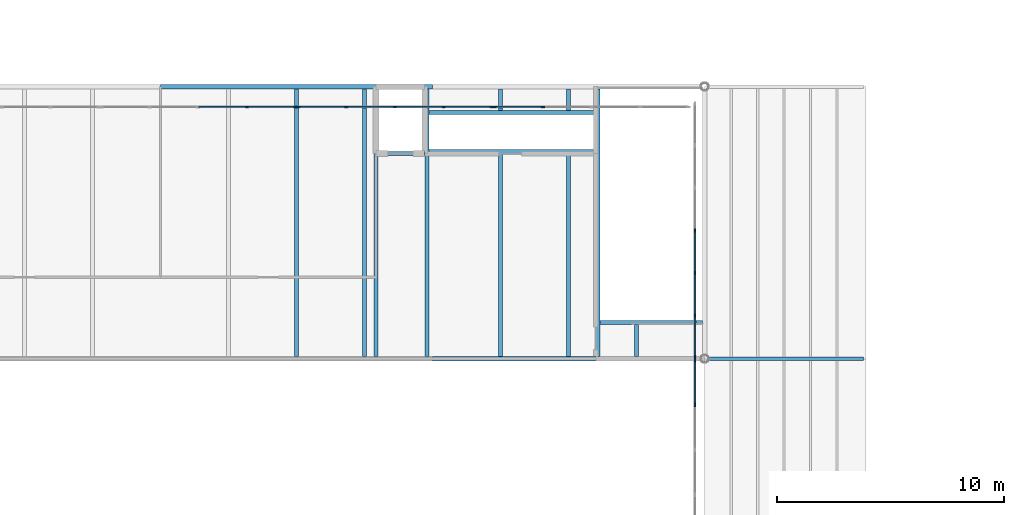
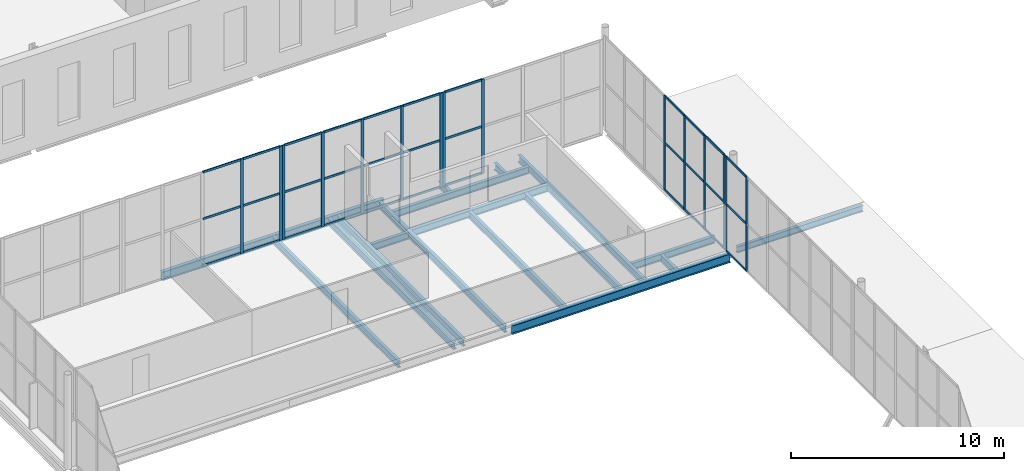
# One storey, part 82 of 170: 48 members, 17 beams, 5 elements without a shape of their own.
"""IFC4 building model written with IfcOpenShell, lengths in metres."""

from ifc_helpers import new_model, si_unit, direction, frame, origin, origin_2d, place, context, subcontext, project, spatial, rectangle, i_section, extrude, material, layer, layer_set, material_profile, profile_set, type_object, element, aggregate, save


model = new_model("IFC4")

# Units and contexts
model_context = context("Model", 3, precision=1e-05, world=origin(), true_north=direction((0.0, 1.0)))
body_context = subcontext(model_context, "Body", "Model", "MODEL_VIEW")
ifc_project = project(units=[si_unit("LENGTHUNIT", "METRE"), si_unit("AREAUNIT", "SQUARE_METRE"), si_unit("VOLUMEUNIT", "CUBIC_METRE"), si_unit("PLANEANGLEUNIT", "RADIAN"), si_unit("MASSUNIT", "GRAM", prefix="KILO")], contexts=[model_context])

# Site, building, storey
site_placement = place(None, origin())
site = spatial("IfcSite", under=ifc_project, at=site_placement, CompositionType="ELEMENT")
building_placement = place(site_placement, origin())
building = spatial("IfcBuilding", under=site, at=building_placement, Name="Ravi Spectrum Wholesale Market", CompositionType="ELEMENT")
storey_placement = place(building_placement, frame((0.0, 0.0, 5.39990234375)))
storey = spatial("IfcBuildingStorey", under=building, at=storey_placement, Name="L01", CompositionType="ELEMENT", Elevation=5.39990234375)

# Beams
ifc_material_1 = material(Name="Steel S355", Category="steel")
ifc_material_profile_1 = material_profile(ifc_material_1, i_section(OverallWidth=0.169921875, OverallDepth=0.360107421875, WebThickness=0.008056640625, FlangeThickness=0.0126953125, at=origin_2d()))
ifc_profile_set_1 = profile_set([ifc_material_profile_1], Name="Steel S355")
beam_type_1 = type_object("IfcBeamType", Name="IPE 360 beam", PredefinedType="BEAM", material=ifc_profile_set_1)
beam_1_placement = place(storey_placement, frame((198.177734375, 174.0, -0.179931640625), z_axis=(1.0, 0.0, 0.0), x_axis=(0.0, 1.0, 0.0)))
element("IfcBeam", 1, at=beam_1_placement, inside=storey, type_object=beam_type_1, Name="H3-BM-L01-033", PredefinedType="BEAM", context=body_context, shape_type="SweptSolid", body=[
    extrude(i_section(OverallWidth=0.169921875, OverallDepth=0.360107421875, WebThickness=0.008056640625, FlangeThickness=0.0126953125, at=origin_2d()), origin(), (0.0, 0.0, 1.0), 6.822265625),
])
ifc_material_2 = material(Name="Steel S355", Category="steel")
ifc_material_profile_2 = material_profile(ifc_material_2, i_section(OverallWidth=0.179931640625, OverallDepth=0.39990234375, WebThickness=0.008544921875, FlangeThickness=0.013427734375, at=origin_2d()))
ifc_profile_set_2 = profile_set([ifc_material_profile_2], Name="Steel S355")
beam_type_2 = type_object("IfcBeamType", Name="IPE 400 beam", PredefinedType="BEAM", material=ifc_profile_set_2)
for number, where, z_axis, x_axis, name in (
    (2, (180.0, 174.10009765625, -0.449951171875), (0.0, 1.0, 0.0), (-1.0, 0.0, 0.0), "H3-BM-L01-013"),
    (3, (183.0, 174.10009765625, -0.449951171875), (0.0, 1.0, 0.0), (-1.0, 0.0, 0.0), "H3-BM-L01-014"),
    (4, (183.5, 174.10009765625, -0.449951171875), (0.0, 1.0, 0.0), (-1.0, 0.0, 0.0), "H3-BM-L01-015"),
    (5, (185.75, 174.10009765625, -0.449951171875), (0.0, 1.0, 0.0), (-1.0, 0.0, 0.0), "H3-BM-L01-016"),
):
    element("IfcBeam", number, at=place(storey_placement, frame(where, z_axis=z_axis, x_axis=x_axis)), inside=storey, type_object=beam_type_2, Name=name, PredefinedType="BEAM", context=body_context, shape_type="SweptSolid", body=[
        extrude(i_section(OverallWidth=0.179931640625, OverallDepth=0.39990234375, WebThickness=0.008544921875, FlangeThickness=0.013427734375, at=origin_2d()), origin(), (0.0, 0.0, 1.0), 11.7998046875),
    ])
beam_2_placement = place(storey_placement, frame((189.0, 174.10009765625, -0.449951171875), z_axis=(0.0, 1.0, 0.0), x_axis=(-1.0, 0.0, 0.0)))
element("IfcBeam", 6, at=beam_2_placement, inside=storey, type_object=beam_type_2, Name="H3-BM-L01-017", PredefinedType="BEAM", context=body_context, shape_type="SweptSolid", body=[
    extrude(i_section(OverallWidth=0.179931640625, OverallDepth=0.39990234375, WebThickness=0.008544921875, FlangeThickness=0.013427734375, at=origin_2d()), origin(), (0.0, 0.0, 1.0), 8.9599609375),
])
beam_3_placement = place(storey_placement, frame((189.0, 184.9599609375, -0.449951171875), z_axis=(0.0, 1.0, 0.0), x_axis=(-1.0, 0.0, 0.0)))
element("IfcBeam", 7, at=beam_3_placement, inside=storey, type_object=beam_type_2, Name="H3-BM-L01-018", PredefinedType="BEAM", context=body_context, shape_type="SweptSolid", body=[
    extrude(i_section(OverallWidth=0.179931640625, OverallDepth=0.39990234375, WebThickness=0.008544921875, FlangeThickness=0.013427734375, at=origin_2d()), origin(), (0.0, 0.0, 1.0), 0.93994140625),
])
beam_4_placement = place(storey_placement, frame((192.0, 174.10009765625, -0.449951171875), z_axis=(0.0, 1.0, 0.0), x_axis=(-1.0, 0.0, 0.0)))
element("IfcBeam", 8, at=beam_4_placement, inside=storey, type_object=beam_type_2, Name="H3-BM-L01-019", PredefinedType="BEAM", context=body_context, shape_type="SweptSolid", body=[
    extrude(i_section(OverallWidth=0.179931640625, OverallDepth=0.39990234375, WebThickness=0.008544921875, FlangeThickness=0.013427734375, at=origin_2d()), origin(), (0.0, 0.0, 1.0), 8.9599609375),
])
beam_5_placement = place(storey_placement, frame((192.0, 184.9599609375, -0.449951171875), z_axis=(0.0, 1.0, 0.0), x_axis=(-1.0, 0.0, 0.0)))
element("IfcBeam", 9, at=beam_5_placement, inside=storey, type_object=beam_type_2, Name="H3-BM-L01-020", PredefinedType="BEAM", context=body_context, shape_type="SweptSolid", body=[
    extrude(i_section(OverallWidth=0.179931640625, OverallDepth=0.39990234375, WebThickness=0.008544921875, FlangeThickness=0.013427734375, at=origin_2d()), origin(), (0.0, 0.0, 1.0), 0.93994140625),
])
beam_6_placement = place(storey_placement, frame((193.300048828125, 174.10009765625, -0.449951171875), z_axis=(0.0, 1.0, 0.0), x_axis=(-1.0, 0.0, 0.0)))
element("IfcBeam", 10, at=beam_6_placement, inside=storey, type_object=beam_type_2, Name="H3-BM-L01-021", PredefinedType="BEAM", context=body_context, shape_type="SweptSolid", body=[
    extrude(i_section(OverallWidth=0.179931640625, OverallDepth=0.39990234375, WebThickness=0.008544921875, FlangeThickness=0.013427734375, at=origin_2d()), origin(), (0.0, 0.0, 1.0), 11.7998046875),
])
beam_7_placement = place(storey_placement, frame((195.0, 174.10009765625, -0.449951171875), z_axis=(0.0, 1.0, 0.0), x_axis=(-1.0, 0.0, 0.0)))
element("IfcBeam", 11, at=beam_7_placement, inside=storey, type_object=beam_type_2, Name="H3-BM-L01-022", PredefinedType="BEAM", context=body_context, shape_type="SweptSolid", body=[
    extrude(i_section(OverallWidth=0.179931640625, OverallDepth=0.39990234375, WebThickness=0.008544921875, FlangeThickness=0.013427734375, at=origin_2d()), origin(), (0.0, 0.0, 1.0), 1.409912109375),
])
beam_8_placement = place(storey_placement, frame((183.590087890625, 183.050048828125, -0.449951171875), z_axis=(1.0, 0.0, 0.0), x_axis=(0.0, 1.0, 0.0)))
element("IfcBeam", 12, at=beam_8_placement, inside=storey, type_object=beam_type_2, Name="H3-BM-L01-023", PredefinedType="BEAM", context=body_context, shape_type="SweptSolid", body=[
    extrude(i_section(OverallWidth=0.179931640625, OverallDepth=0.39990234375, WebThickness=0.008544921875, FlangeThickness=0.013427734375, at=origin_2d()), origin(), (0.0, 0.0, 1.0), 2.06982421875),
])
for number, where, z_axis, x_axis, name in (
    (13, (185.840087890625, 183.14990234375, -0.449951171875), (1.0, 0.0, 0.0), (0.0, 1.0, 0.0), "H3-BM-L01-024"),
    (14, (185.840087890625, 184.8701171875, -0.449951171875), (1.0, 0.0, 0.0), (0.0, 1.0, 0.0), "H3-BM-L01-025"),
):
    element("IfcBeam", number, at=place(storey_placement, frame(where, z_axis=z_axis, x_axis=x_axis)), inside=storey, type_object=beam_type_2, Name=name, PredefinedType="BEAM", context=body_context, shape_type="SweptSolid", body=[
        extrude(i_section(OverallWidth=0.179931640625, OverallDepth=0.39990234375, WebThickness=0.008544921875, FlangeThickness=0.013427734375, at=origin_2d()), origin(), (0.0, 0.0, 1.0), 7.369873046875),
    ])
beam_9_placement = place(storey_placement, frame((193.389892578125, 175.60009765625, -0.449951171875), z_axis=(1.0, 0.0, 0.0), x_axis=(0.0, 1.0, 0.0)))
element("IfcBeam", 15, at=beam_9_placement, inside=storey, type_object=beam_type_2, Name="H3-BM-L01-026", PredefinedType="BEAM", context=body_context, shape_type="SweptSolid", body=[
    extrude(i_section(OverallWidth=0.179931640625, OverallDepth=0.39990234375, WebThickness=0.008544921875, FlangeThickness=0.013427734375, at=origin_2d()), origin(), (0.0, 0.0, 1.0), 4.510009765625),
])
ifc_material_3 = material(Name="Steel S355", Category="steel")
ifc_material_profile_3 = material_profile(ifc_material_3, i_section(OverallWidth=0.199951171875, OverallDepth=0.5, WebThickness=0.01025390625, FlangeThickness=0.01611328125, at=origin_2d()))
ifc_profile_set_3 = profile_set([ifc_material_profile_3], Name="Steel S355")
beam_type_3 = type_object("IfcBeamType", Name="IPE 500 girder", PredefinedType="BEAM", material=ifc_profile_set_3)
beam_10_placement = place(storey_placement, frame((186.0, 174.0, -0.5), z_axis=(1.0, 0.0, 0.0), x_axis=(0.0, 1.0, 0.0)))
element("IfcBeam", 16, at=beam_10_placement, inside=storey, type_object=beam_type_3, Name="H3-BM-L01-003", PredefinedType="BEAM", context=body_context, shape_type="SweptSolid", body=[
    extrude(i_section(OverallWidth=0.199951171875, OverallDepth=0.5, WebThickness=0.01025390625, FlangeThickness=0.01611328125, at=origin_2d()), origin(), (0.0, 0.0, 1.0), 11.822265625),
])
beam_11_placement = place(storey_placement, frame((174.0, 186.0, -0.5), z_axis=(1.0, 0.0, 0.0), x_axis=(0.0, 1.0, 0.0)))
element("IfcBeam", 17, at=beam_11_placement, inside=storey, type_object=beam_type_3, Name="H3-BM-L01-005", PredefinedType="BEAM", context=body_context, shape_type="SweptSolid", body=[
    extrude(i_section(OverallWidth=0.199951171875, OverallDepth=0.5, WebThickness=0.01025390625, FlangeThickness=0.01611328125, at=origin_2d()), origin(), (0.0, 0.0, 1.0), 12.0),
])

# Curtain wall, members
ifc_material_4 = material(Name="Aluminium 6063-T6", Category="aluminium")
ifc_layer = layer(ifc_material_4, 0.14990234375)
ifc_layer_set = layer_set([ifc_layer], Name="Aluminium 6063-T6")
curtain_wall_type = type_object("IfcCurtainWallType", Name="Curtain wall 150", PredefinedType="NOTDEFINED", material=ifc_layer_set)
curtain_wall_1_placement = place(storey_placement, origin())
curtain_wall_1 = element("IfcCurtainWall", 18, at=curtain_wall_1_placement, inside=storey, type_object=curtain_wall_type, Name="H3-CW-L01-007", PredefinedType="NOTDEFINED")
ifc_material_5 = material(Name="Aluminium 6063-T6", Category="aluminium")
ifc_material_profile_4 = material_profile(ifc_material_5, rectangle(XDim=0.06005859375, YDim=0.159912109375, at=origin_2d()))
ifc_profile_set_4 = profile_set([ifc_material_profile_4], Name="Aluminium 6063-T6")
member_type_1 = type_object("IfcMemberType", Name="Mullion 60 x 160", PredefinedType="MULLION", material=ifc_profile_set_4)
member_1_placement = place(storey_placement, frame((197.572265625, 171.973388671875, 0.0), z_axis=(0.0, 0.0, 1.0), x_axis=(-1.0, 0.0, 0.0)))
member_1 = element("IfcMember", 19, at=member_1_placement, type_object=member_type_1, Name="H3-CW-L01-007 mullion 6", PredefinedType="MULLION", context=body_context, shape_type="SweptSolid", body=[
    extrude(rectangle(XDim=0.06005859375, YDim=0.159912109375, at=origin_2d()), origin(), (0.0, 0.0, 1.0), 5.400146484375),
])
member_2_placement = place(storey_placement, frame((197.572265625, 173.929931640625, 0.0), z_axis=(0.0, 0.0, 1.0), x_axis=(-1.0, 0.0, 0.0)))
member_2 = element("IfcMember", 20, at=member_2_placement, type_object=member_type_1, Name="H3-CW-L01-007 mullion 7", PredefinedType="MULLION", context=body_context, shape_type="SweptSolid", body=[
    extrude(rectangle(XDim=0.06005859375, YDim=0.159912109375, at=origin_2d()), origin(), (0.0, 0.0, 1.0), 5.400146484375),
])

curtain_wall_2_placement = place(storey_placement, origin())
curtain_wall_2 = element("IfcCurtainWall", 21, at=curtain_wall_2_placement, inside=storey, type_object=curtain_wall_type, Name="H3-CW-L01-008", PredefinedType="NOTDEFINED")
member_3_placement = place(storey_placement, frame((197.572265625, 174.070068359375, 0.0), z_axis=(0.0, 0.0, 1.0), x_axis=(-1.0, 0.0, 0.0)))
member_3 = element("IfcMember", 22, at=member_3_placement, type_object=member_type_1, Name="H3-CW-L01-008 mullion 1", PredefinedType="MULLION", context=body_context, shape_type="SweptSolid", body=[
    extrude(rectangle(XDim=0.06005859375, YDim=0.159912109375, at=origin_2d()), origin(), (0.0, 0.0, 1.0), 5.400146484375),
])
member_4_placement = place(storey_placement, frame((197.572265625, 175.9150390625, 0.0), z_axis=(0.0, 0.0, 1.0), x_axis=(-1.0, 0.0, 0.0)))
member_4 = element("IfcMember", 23, at=member_4_placement, type_object=member_type_1, Name="H3-CW-L01-008 mullion 2", PredefinedType="MULLION", context=body_context, shape_type="SweptSolid", body=[
    extrude(rectangle(XDim=0.06005859375, YDim=0.159912109375, at=origin_2d()), origin(), (0.0, 0.0, 1.0), 5.400146484375),
])
member_5_placement = place(storey_placement, frame((197.572265625, 177.7900390625, 0.0), z_axis=(0.0, 0.0, 1.0), x_axis=(-1.0, 0.0, 0.0)))
member_5 = element("IfcMember", 24, at=member_5_placement, type_object=member_type_1, Name="H3-CW-L01-008 mullion 3", PredefinedType="MULLION", context=body_context, shape_type="SweptSolid", body=[
    extrude(rectangle(XDim=0.06005859375, YDim=0.159912109375, at=origin_2d()), origin(), (0.0, 0.0, 1.0), 5.400146484375),
])
member_6_placement = place(storey_placement, frame((197.572265625, 179.6650390625, 0.0), z_axis=(0.0, 0.0, 1.0), x_axis=(-1.0, 0.0, 0.0)))
member_6 = element("IfcMember", 25, at=member_6_placement, type_object=member_type_1, Name="H3-CW-L01-008 mullion 4", PredefinedType="MULLION", context=body_context, shape_type="SweptSolid", body=[
    extrude(rectangle(XDim=0.06005859375, YDim=0.159912109375, at=origin_2d()), origin(), (0.0, 0.0, 1.0), 5.400146484375),
])

curtain_wall_3_placement = place(storey_placement, origin())
curtain_wall_3 = element("IfcCurtainWall", 26, at=curtain_wall_3_placement, inside=storey, type_object=curtain_wall_type, Name="H3-CW-L01-014", PredefinedType="NOTDEFINED")
member_7_placement = place(storey_placement, frame((177.812255859375, 185.10009765625, 0.0), z_axis=(0.0, 0.0, 1.0), x_axis=(0.0, 1.0, 0.0)))
member_7 = element("IfcMember", 27, at=member_7_placement, type_object=member_type_1, Name="H3-CW-L01-014 mullion 4", PredefinedType="MULLION", context=body_context, shape_type="SweptSolid", body=[
    extrude(rectangle(XDim=0.06005859375, YDim=0.159912109375, at=origin_2d()), origin(), (0.0, 0.0, 1.0), 5.400146484375),
])
member_8_placement = place(storey_placement, frame((179.929931640625, 185.10009765625, 0.0), z_axis=(0.0, 0.0, 1.0), x_axis=(0.0, 1.0, 0.0)))
member_8 = element("IfcMember", 28, at=member_8_placement, type_object=member_type_1, Name="H3-CW-L01-014 mullion 5", PredefinedType="MULLION", context=body_context, shape_type="SweptSolid", body=[
    extrude(rectangle(XDim=0.06005859375, YDim=0.159912109375, at=origin_2d()), origin(), (0.0, 0.0, 1.0), 5.400146484375),
])

curtain_wall_4_placement = place(storey_placement, origin())
curtain_wall_4 = element("IfcCurtainWall", 29, at=curtain_wall_4_placement, inside=storey, type_object=curtain_wall_type, Name="H3-CW-L01-015", PredefinedType="NOTDEFINED")
member_9_placement = place(storey_placement, frame((180.070068359375, 185.10009765625, 0.0), z_axis=(0.0, 0.0, 1.0), x_axis=(0.0, 1.0, 0.0)))
member_9 = element("IfcMember", 30, at=member_9_placement, type_object=member_type_1, Name="H3-CW-L01-015 mullion 1", PredefinedType="MULLION", context=body_context, shape_type="SweptSolid", body=[
    extrude(rectangle(XDim=0.06005859375, YDim=0.159912109375, at=origin_2d()), origin(), (0.0, 0.0, 1.0), 5.400146484375),
])
member_10_placement = place(storey_placement, frame((182.187744140625, 185.10009765625, 0.0), z_axis=(0.0, 0.0, 1.0), x_axis=(0.0, 1.0, 0.0)))
member_10 = element("IfcMember", 31, at=member_10_placement, type_object=member_type_1, Name="H3-CW-L01-015 mullion 2", PredefinedType="MULLION", context=body_context, shape_type="SweptSolid", body=[
    extrude(rectangle(XDim=0.06005859375, YDim=0.159912109375, at=origin_2d()), origin(), (0.0, 0.0, 1.0), 5.400146484375),
])
member_11_placement = place(storey_placement, frame((184.33544921875, 185.10009765625, 0.0), z_axis=(0.0, 0.0, 1.0), x_axis=(0.0, 1.0, 0.0)))
member_11 = element("IfcMember", 32, at=member_11_placement, type_object=member_type_1, Name="H3-CW-L01-015 mullion 3", PredefinedType="MULLION", context=body_context, shape_type="SweptSolid", body=[
    extrude(rectangle(XDim=0.06005859375, YDim=0.159912109375, at=origin_2d()), origin(), (0.0, 0.0, 1.0), 5.400146484375),
])
member_12_placement = place(storey_placement, frame((186.4833984375, 185.10009765625, 0.0), z_axis=(0.0, 0.0, 1.0), x_axis=(0.0, 1.0, 0.0)))
member_12 = element("IfcMember", 33, at=member_12_placement, type_object=member_type_1, Name="H3-CW-L01-015 mullion 4", PredefinedType="MULLION", context=body_context, shape_type="SweptSolid", body=[
    extrude(rectangle(XDim=0.06005859375, YDim=0.159912109375, at=origin_2d()), origin(), (0.0, 0.0, 1.0), 5.400146484375),
])
member_13_placement = place(storey_placement, frame((188.60107421875, 185.10009765625, 0.0), z_axis=(0.0, 0.0, 1.0), x_axis=(0.0, 1.0, 0.0)))
member_13 = element("IfcMember", 34, at=member_13_placement, type_object=member_type_1, Name="H3-CW-L01-015 mullion 5", PredefinedType="MULLION", context=body_context, shape_type="SweptSolid", body=[
    extrude(rectangle(XDim=0.06005859375, YDim=0.159912109375, at=origin_2d()), origin(), (0.0, 0.0, 1.0), 5.400146484375),
])

curtain_wall_5_placement = place(storey_placement, origin())
curtain_wall_5 = element("IfcCurtainWall", 35, at=curtain_wall_5_placement, inside=storey, type_object=curtain_wall_type, Name="H3-CW-L01-016", PredefinedType="NOTDEFINED")
member_14_placement = place(storey_placement, frame((188.7412109375, 185.10009765625, 0.0), z_axis=(0.0, 0.0, 1.0), x_axis=(0.0, 1.0, 0.0)))
member_14 = element("IfcMember", 36, at=member_14_placement, type_object=member_type_1, Name="H3-CW-L01-016 mullion 1", PredefinedType="MULLION", context=body_context, shape_type="SweptSolid", body=[
    extrude(rectangle(XDim=0.06005859375, YDim=0.159912109375, at=origin_2d()), origin(), (0.0, 0.0, 1.0), 5.400146484375),
])
member_15_placement = place(storey_placement, frame((190.85888671875, 185.10009765625, 0.0), z_axis=(0.0, 0.0, 1.0), x_axis=(0.0, 1.0, 0.0)))
member_15 = element("IfcMember", 37, at=member_15_placement, type_object=member_type_1, Name="H3-CW-L01-016 mullion 2", PredefinedType="MULLION", context=body_context, shape_type="SweptSolid", body=[
    extrude(rectangle(XDim=0.06005859375, YDim=0.159912109375, at=origin_2d()), origin(), (0.0, 0.0, 1.0), 5.400146484375),
])

# Member
ifc_material_6 = material(Name="Aluminium 6063-T6", Category="aluminium")
ifc_material_profile_5 = material_profile(ifc_material_6, rectangle(XDim=0.06005859375, YDim=0.1201171875, at=origin_2d()))
ifc_profile_set_5 = profile_set([ifc_material_profile_5], Name="Aluminium 6063-T6")
member_type_2 = type_object("IfcMemberType", Name="Transom 60 x 120", PredefinedType="USERDEFINED", material=ifc_profile_set_5)
member_16_placement = place(storey_placement, frame((197.572265625, 172.00341796875, 0.030029296875), z_axis=(0.0, 1.0, 0.0), x_axis=(-1.0, 0.0, 0.0)))
member_16 = element("IfcMember", 38, at=member_16_placement, type_object=member_type_2, Name="H3-CW-L01-007 transom 6.1", ObjectType="TRANSOM", PredefinedType="USERDEFINED", context=body_context, shape_type="SweptSolid", body=[
    extrude(rectangle(XDim=0.06005859375, YDim=0.1201171875, at=origin_2d()), origin(), (0.0, 0.0, 1.0), 1.896484375),
])

member_17_placement = place(storey_placement, frame((197.572265625, 172.00341796875, 2.7001953125), z_axis=(0.0, 1.0, 0.0), x_axis=(-1.0, 0.0, 0.0)))
member_17 = element("IfcMember", 39, at=member_17_placement, type_object=member_type_2, Name="H3-CW-L01-007 transom 6.2", ObjectType="TRANSOM", PredefinedType="USERDEFINED", context=body_context, shape_type="SweptSolid", body=[
    extrude(rectangle(XDim=0.06005859375, YDim=0.1201171875, at=origin_2d()), origin(), (0.0, 0.0, 1.0), 1.896484375),
])

member_18_placement = place(storey_placement, frame((197.572265625, 172.00341796875, 5.3701171875), z_axis=(0.0, 1.0, 0.0), x_axis=(-1.0, 0.0, 0.0)))
member_18 = element("IfcMember", 40, at=member_18_placement, type_object=member_type_2, Name="H3-CW-L01-007 transom 6.3", ObjectType="TRANSOM", PredefinedType="USERDEFINED", context=body_context, shape_type="SweptSolid", body=[
    extrude(rectangle(XDim=0.06005859375, YDim=0.1201171875, at=origin_2d()), origin(), (0.0, 0.0, 1.0), 1.896484375),
])

aggregate(curtain_wall_1, [member_1, member_2, member_16, member_17, member_18])

member_19_placement = place(storey_placement, frame((197.572265625, 174.10009765625, 0.030029296875), z_axis=(0.0, 1.0, 0.0), x_axis=(-1.0, 0.0, 0.0)))
member_19 = element("IfcMember", 41, at=member_19_placement, type_object=member_type_2, Name="H3-CW-L01-008 transom 1.1", ObjectType="TRANSOM", PredefinedType="USERDEFINED", context=body_context, shape_type="SweptSolid", body=[
    extrude(rectangle(XDim=0.06005859375, YDim=0.1201171875, at=origin_2d()), origin(), (0.0, 0.0, 1.0), 1.784912109375),
])

member_20_placement = place(storey_placement, frame((197.572265625, 174.10009765625, 2.7001953125), z_axis=(0.0, 1.0, 0.0), x_axis=(-1.0, 0.0, 0.0)))
member_20 = element("IfcMember", 42, at=member_20_placement, type_object=member_type_2, Name="H3-CW-L01-008 transom 1.2", ObjectType="TRANSOM", PredefinedType="USERDEFINED", context=body_context, shape_type="SweptSolid", body=[
    extrude(rectangle(XDim=0.06005859375, YDim=0.1201171875, at=origin_2d()), origin(), (0.0, 0.0, 1.0), 1.784912109375),
])

member_21_placement = place(storey_placement, frame((197.572265625, 174.10009765625, 5.3701171875), z_axis=(0.0, 1.0, 0.0), x_axis=(-1.0, 0.0, 0.0)))
member_21 = element("IfcMember", 43, at=member_21_placement, type_object=member_type_2, Name="H3-CW-L01-008 transom 1.3", ObjectType="TRANSOM", PredefinedType="USERDEFINED", context=body_context, shape_type="SweptSolid", body=[
    extrude(rectangle(XDim=0.06005859375, YDim=0.1201171875, at=origin_2d()), origin(), (0.0, 0.0, 1.0), 1.784912109375),
])

member_22_placement = place(storey_placement, frame((197.572265625, 175.945068359375, 0.030029296875), z_axis=(0.0, 1.0, 0.0), x_axis=(-1.0, 0.0, 0.0)))
member_22 = element("IfcMember", 44, at=member_22_placement, type_object=member_type_2, Name="H3-CW-L01-008 transom 2.1", ObjectType="TRANSOM", PredefinedType="USERDEFINED", context=body_context, shape_type="SweptSolid", body=[
    extrude(rectangle(XDim=0.06005859375, YDim=0.1201171875, at=origin_2d()), origin(), (0.0, 0.0, 1.0), 1.81494140625),
])

member_23_placement = place(storey_placement, frame((197.572265625, 175.945068359375, 2.7001953125), z_axis=(0.0, 1.0, 0.0), x_axis=(-1.0, 0.0, 0.0)))
member_23 = element("IfcMember", 45, at=member_23_placement, type_object=member_type_2, Name="H3-CW-L01-008 transom 2.2", ObjectType="TRANSOM", PredefinedType="USERDEFINED", context=body_context, shape_type="SweptSolid", body=[
    extrude(rectangle(XDim=0.06005859375, YDim=0.1201171875, at=origin_2d()), origin(), (0.0, 0.0, 1.0), 1.81494140625),
])

member_24_placement = place(storey_placement, frame((197.572265625, 175.945068359375, 5.3701171875), z_axis=(0.0, 1.0, 0.0), x_axis=(-1.0, 0.0, 0.0)))
member_24 = element("IfcMember", 46, at=member_24_placement, type_object=member_type_2, Name="H3-CW-L01-008 transom 2.3", ObjectType="TRANSOM", PredefinedType="USERDEFINED", context=body_context, shape_type="SweptSolid", body=[
    extrude(rectangle(XDim=0.06005859375, YDim=0.1201171875, at=origin_2d()), origin(), (0.0, 0.0, 1.0), 1.81494140625),
])

member_25_placement = place(storey_placement, frame((197.572265625, 177.820068359375, 0.030029296875), z_axis=(0.0, 1.0, 0.0), x_axis=(-1.0, 0.0, 0.0)))
member_25 = element("IfcMember", 47, at=member_25_placement, type_object=member_type_2, Name="H3-CW-L01-008 transom 3.1", ObjectType="TRANSOM", PredefinedType="USERDEFINED", context=body_context, shape_type="SweptSolid", body=[
    extrude(rectangle(XDim=0.06005859375, YDim=0.1201171875, at=origin_2d()), origin(), (0.0, 0.0, 1.0), 1.81494140625),
])

member_26_placement = place(storey_placement, frame((197.572265625, 177.820068359375, 2.7001953125), z_axis=(0.0, 1.0, 0.0), x_axis=(-1.0, 0.0, 0.0)))
member_26 = element("IfcMember", 48, at=member_26_placement, type_object=member_type_2, Name="H3-CW-L01-008 transom 3.2", ObjectType="TRANSOM", PredefinedType="USERDEFINED", context=body_context, shape_type="SweptSolid", body=[
    extrude(rectangle(XDim=0.06005859375, YDim=0.1201171875, at=origin_2d()), origin(), (0.0, 0.0, 1.0), 1.81494140625),
])

member_27_placement = place(storey_placement, frame((197.572265625, 177.820068359375, 5.3701171875), z_axis=(0.0, 1.0, 0.0), x_axis=(-1.0, 0.0, 0.0)))
member_27 = element("IfcMember", 49, at=member_27_placement, type_object=member_type_2, Name="H3-CW-L01-008 transom 3.3", ObjectType="TRANSOM", PredefinedType="USERDEFINED", context=body_context, shape_type="SweptSolid", body=[
    extrude(rectangle(XDim=0.06005859375, YDim=0.1201171875, at=origin_2d()), origin(), (0.0, 0.0, 1.0), 1.81494140625),
])

aggregate(curtain_wall_2, [member_3, member_4, member_5, member_6, member_19, member_20, member_21, member_22, member_23, member_24, member_25, member_26, member_27])

member_28_placement = place(storey_placement, frame((175.6943359375, 185.10009765625, 0.030029296875), z_axis=(1.0, 0.0, 0.0), x_axis=(0.0, 1.0, 0.0)))
member_28 = element("IfcMember", 50, at=member_28_placement, type_object=member_type_2, Name="H3-CW-L01-014 transom 3.1", ObjectType="TRANSOM", PredefinedType="USERDEFINED", context=body_context, shape_type="SweptSolid", body=[
    extrude(rectangle(XDim=0.06005859375, YDim=0.1201171875, at=origin_2d()), origin(), (0.0, 0.0, 1.0), 2.087890625),
])

member_29_placement = place(storey_placement, frame((175.6943359375, 185.10009765625, 2.7001953125), z_axis=(1.0, 0.0, 0.0), x_axis=(0.0, 1.0, 0.0)))
member_29 = element("IfcMember", 51, at=member_29_placement, type_object=member_type_2, Name="H3-CW-L01-014 transom 3.2", ObjectType="TRANSOM", PredefinedType="USERDEFINED", context=body_context, shape_type="SweptSolid", body=[
    extrude(rectangle(XDim=0.06005859375, YDim=0.1201171875, at=origin_2d()), origin(), (0.0, 0.0, 1.0), 2.087890625),
])

member_30_placement = place(storey_placement, frame((175.6943359375, 185.10009765625, 5.3701171875), z_axis=(1.0, 0.0, 0.0), x_axis=(0.0, 1.0, 0.0)))
member_30 = element("IfcMember", 52, at=member_30_placement, type_object=member_type_2, Name="H3-CW-L01-014 transom 3.3", ObjectType="TRANSOM", PredefinedType="USERDEFINED", context=body_context, shape_type="SweptSolid", body=[
    extrude(rectangle(XDim=0.06005859375, YDim=0.1201171875, at=origin_2d()), origin(), (0.0, 0.0, 1.0), 2.087890625),
])

member_31_placement = place(storey_placement, frame((177.84228515625, 185.10009765625, 0.030029296875), z_axis=(1.0, 0.0, 0.0), x_axis=(0.0, 1.0, 0.0)))
member_31 = element("IfcMember", 53, at=member_31_placement, type_object=member_type_2, Name="H3-CW-L01-014 transom 4.1", ObjectType="TRANSOM", PredefinedType="USERDEFINED", context=body_context, shape_type="SweptSolid", body=[
    extrude(rectangle(XDim=0.06005859375, YDim=0.1201171875, at=origin_2d()), origin(), (0.0, 0.0, 1.0), 2.0576171875),
])

member_32_placement = place(storey_placement, frame((177.84228515625, 185.10009765625, 2.7001953125), z_axis=(1.0, 0.0, 0.0), x_axis=(0.0, 1.0, 0.0)))
member_32 = element("IfcMember", 54, at=member_32_placement, type_object=member_type_2, Name="H3-CW-L01-014 transom 4.2", ObjectType="TRANSOM", PredefinedType="USERDEFINED", context=body_context, shape_type="SweptSolid", body=[
    extrude(rectangle(XDim=0.06005859375, YDim=0.1201171875, at=origin_2d()), origin(), (0.0, 0.0, 1.0), 2.0576171875),
])

member_33_placement = place(storey_placement, frame((177.84228515625, 185.10009765625, 5.3701171875), z_axis=(1.0, 0.0, 0.0), x_axis=(0.0, 1.0, 0.0)))
member_33 = element("IfcMember", 55, at=member_33_placement, type_object=member_type_2, Name="H3-CW-L01-014 transom 4.3", ObjectType="TRANSOM", PredefinedType="USERDEFINED", context=body_context, shape_type="SweptSolid", body=[
    extrude(rectangle(XDim=0.06005859375, YDim=0.1201171875, at=origin_2d()), origin(), (0.0, 0.0, 1.0), 2.0576171875),
])

aggregate(curtain_wall_3, [member_7, member_8, member_28, member_29, member_30, member_31, member_32, member_33])

member_34_placement = place(storey_placement, frame((180.10009765625, 185.10009765625, 0.030029296875), z_axis=(1.0, 0.0, 0.0), x_axis=(0.0, 1.0, 0.0)))
member_34 = element("IfcMember", 56, at=member_34_placement, type_object=member_type_2, Name="H3-CW-L01-015 transom 1.1", ObjectType="TRANSOM", PredefinedType="USERDEFINED", context=body_context, shape_type="SweptSolid", body=[
    extrude(rectangle(XDim=0.06005859375, YDim=0.1201171875, at=origin_2d()), origin(), (0.0, 0.0, 1.0), 2.0576171875),
])

member_35_placement = place(storey_placement, frame((180.10009765625, 185.10009765625, 2.7001953125), z_axis=(1.0, 0.0, 0.0), x_axis=(0.0, 1.0, 0.0)))
member_35 = element("IfcMember", 57, at=member_35_placement, type_object=member_type_2, Name="H3-CW-L01-015 transom 1.2", ObjectType="TRANSOM", PredefinedType="USERDEFINED", context=body_context, shape_type="SweptSolid", body=[
    extrude(rectangle(XDim=0.06005859375, YDim=0.1201171875, at=origin_2d()), origin(), (0.0, 0.0, 1.0), 2.0576171875),
])

member_36_placement = place(storey_placement, frame((180.10009765625, 185.10009765625, 5.3701171875), z_axis=(1.0, 0.0, 0.0), x_axis=(0.0, 1.0, 0.0)))
member_36 = element("IfcMember", 58, at=member_36_placement, type_object=member_type_2, Name="H3-CW-L01-015 transom 1.3", ObjectType="TRANSOM", PredefinedType="USERDEFINED", context=body_context, shape_type="SweptSolid", body=[
    extrude(rectangle(XDim=0.06005859375, YDim=0.1201171875, at=origin_2d()), origin(), (0.0, 0.0, 1.0), 2.0576171875),
])

member_37_placement = place(storey_placement, frame((182.2177734375, 185.10009765625, 0.030029296875), z_axis=(1.0, 0.0, 0.0), x_axis=(0.0, 1.0, 0.0)))
member_37 = element("IfcMember", 59, at=member_37_placement, type_object=member_type_2, Name="H3-CW-L01-015 transom 2.1", ObjectType="TRANSOM", PredefinedType="USERDEFINED", context=body_context, shape_type="SweptSolid", body=[
    extrude(rectangle(XDim=0.06005859375, YDim=0.1201171875, at=origin_2d()), origin(), (0.0, 0.0, 1.0), 2.087890625),
])

member_38_placement = place(storey_placement, frame((182.2177734375, 185.10009765625, 2.7001953125), z_axis=(1.0, 0.0, 0.0), x_axis=(0.0, 1.0, 0.0)))
member_38 = element("IfcMember", 60, at=member_38_placement, type_object=member_type_2, Name="H3-CW-L01-015 transom 2.2", ObjectType="TRANSOM", PredefinedType="USERDEFINED", context=body_context, shape_type="SweptSolid", body=[
    extrude(rectangle(XDim=0.06005859375, YDim=0.1201171875, at=origin_2d()), origin(), (0.0, 0.0, 1.0), 2.087890625),
])

member_39_placement = place(storey_placement, frame((182.2177734375, 185.10009765625, 5.3701171875), z_axis=(1.0, 0.0, 0.0), x_axis=(0.0, 1.0, 0.0)))
member_39 = element("IfcMember", 61, at=member_39_placement, type_object=member_type_2, Name="H3-CW-L01-015 transom 2.3", ObjectType="TRANSOM", PredefinedType="USERDEFINED", context=body_context, shape_type="SweptSolid", body=[
    extrude(rectangle(XDim=0.06005859375, YDim=0.1201171875, at=origin_2d()), origin(), (0.0, 0.0, 1.0), 2.087890625),
])

member_40_placement = place(storey_placement, frame((184.365478515625, 185.10009765625, 0.030029296875), z_axis=(1.0, 0.0, 0.0), x_axis=(0.0, 1.0, 0.0)))
member_40 = element("IfcMember", 62, at=member_40_placement, type_object=member_type_2, Name="H3-CW-L01-015 transom 3.1", ObjectType="TRANSOM", PredefinedType="USERDEFINED", context=body_context, shape_type="SweptSolid", body=[
    extrude(rectangle(XDim=0.06005859375, YDim=0.1201171875, at=origin_2d()), origin(), (0.0, 0.0, 1.0), 2.087890625),
])

member_41_placement = place(storey_placement, frame((184.365478515625, 185.10009765625, 2.7001953125), z_axis=(1.0, 0.0, 0.0), x_axis=(0.0, 1.0, 0.0)))
member_41 = element("IfcMember", 63, at=member_41_placement, type_object=member_type_2, Name="H3-CW-L01-015 transom 3.2", ObjectType="TRANSOM", PredefinedType="USERDEFINED", context=body_context, shape_type="SweptSolid", body=[
    extrude(rectangle(XDim=0.06005859375, YDim=0.1201171875, at=origin_2d()), origin(), (0.0, 0.0, 1.0), 2.087890625),
])

member_42_placement = place(storey_placement, frame((184.365478515625, 185.10009765625, 5.3701171875), z_axis=(1.0, 0.0, 0.0), x_axis=(0.0, 1.0, 0.0)))
member_42 = element("IfcMember", 64, at=member_42_placement, type_object=member_type_2, Name="H3-CW-L01-015 transom 3.3", ObjectType="TRANSOM", PredefinedType="USERDEFINED", context=body_context, shape_type="SweptSolid", body=[
    extrude(rectangle(XDim=0.06005859375, YDim=0.1201171875, at=origin_2d()), origin(), (0.0, 0.0, 1.0), 2.087890625),
])

member_43_placement = place(storey_placement, frame((186.513427734375, 185.10009765625, 0.030029296875), z_axis=(1.0, 0.0, 0.0), x_axis=(0.0, 1.0, 0.0)))
member_43 = element("IfcMember", 65, at=member_43_placement, type_object=member_type_2, Name="H3-CW-L01-015 transom 4.1", ObjectType="TRANSOM", PredefinedType="USERDEFINED", context=body_context, shape_type="SweptSolid", body=[
    extrude(rectangle(XDim=0.06005859375, YDim=0.1201171875, at=origin_2d()), origin(), (0.0, 0.0, 1.0), 2.0576171875),
])

member_44_placement = place(storey_placement, frame((186.513427734375, 185.10009765625, 2.7001953125), z_axis=(1.0, 0.0, 0.0), x_axis=(0.0, 1.0, 0.0)))
member_44 = element("IfcMember", 66, at=member_44_placement, type_object=member_type_2, Name="H3-CW-L01-015 transom 4.2", ObjectType="TRANSOM", PredefinedType="USERDEFINED", context=body_context, shape_type="SweptSolid", body=[
    extrude(rectangle(XDim=0.06005859375, YDim=0.1201171875, at=origin_2d()), origin(), (0.0, 0.0, 1.0), 2.0576171875),
])

member_45_placement = place(storey_placement, frame((186.513427734375, 185.10009765625, 5.3701171875), z_axis=(1.0, 0.0, 0.0), x_axis=(0.0, 1.0, 0.0)))
member_45 = element("IfcMember", 67, at=member_45_placement, type_object=member_type_2, Name="H3-CW-L01-015 transom 4.3", ObjectType="TRANSOM", PredefinedType="USERDEFINED", context=body_context, shape_type="SweptSolid", body=[
    extrude(rectangle(XDim=0.06005859375, YDim=0.1201171875, at=origin_2d()), origin(), (0.0, 0.0, 1.0), 2.0576171875),
])

aggregate(curtain_wall_4, [member_9, member_10, member_11, member_12, member_13, member_34, member_35, member_36, member_37, member_38, member_39, member_40, member_41, member_42, member_43, member_44, member_45])

member_46_placement = place(storey_placement, frame((188.77099609375, 185.10009765625, 0.030029296875), z_axis=(1.0, 0.0, 0.0), x_axis=(0.0, 1.0, 0.0)))
member_46 = element("IfcMember", 68, at=member_46_placement, type_object=member_type_2, Name="H3-CW-L01-016 transom 1.1", ObjectType="TRANSOM", PredefinedType="USERDEFINED", context=body_context, shape_type="SweptSolid", body=[
    extrude(rectangle(XDim=0.06005859375, YDim=0.1201171875, at=origin_2d()), origin(), (0.0, 0.0, 1.0), 2.057861328125),
])

member_47_placement = place(storey_placement, frame((188.77099609375, 185.10009765625, 2.7001953125), z_axis=(1.0, 0.0, 0.0), x_axis=(0.0, 1.0, 0.0)))
member_47 = element("IfcMember", 69, at=member_47_placement, type_object=member_type_2, Name="H3-CW-L01-016 transom 1.2", ObjectType="TRANSOM", PredefinedType="USERDEFINED", context=body_context, shape_type="SweptSolid", body=[
    extrude(rectangle(XDim=0.06005859375, YDim=0.1201171875, at=origin_2d()), origin(), (0.0, 0.0, 1.0), 2.057861328125),
])

member_48_placement = place(storey_placement, frame((188.77099609375, 185.10009765625, 5.3701171875), z_axis=(1.0, 0.0, 0.0), x_axis=(0.0, 1.0, 0.0)))
member_48 = element("IfcMember", 70, at=member_48_placement, type_object=member_type_2, Name="H3-CW-L01-016 transom 1.3", ObjectType="TRANSOM", PredefinedType="USERDEFINED", context=body_context, shape_type="SweptSolid", body=[
    extrude(rectangle(XDim=0.06005859375, YDim=0.1201171875, at=origin_2d()), origin(), (0.0, 0.0, 1.0), 2.057861328125),
])

aggregate(curtain_wall_5, [member_14, member_15, member_46, member_47, member_48])

save(model, "model.ifc")
